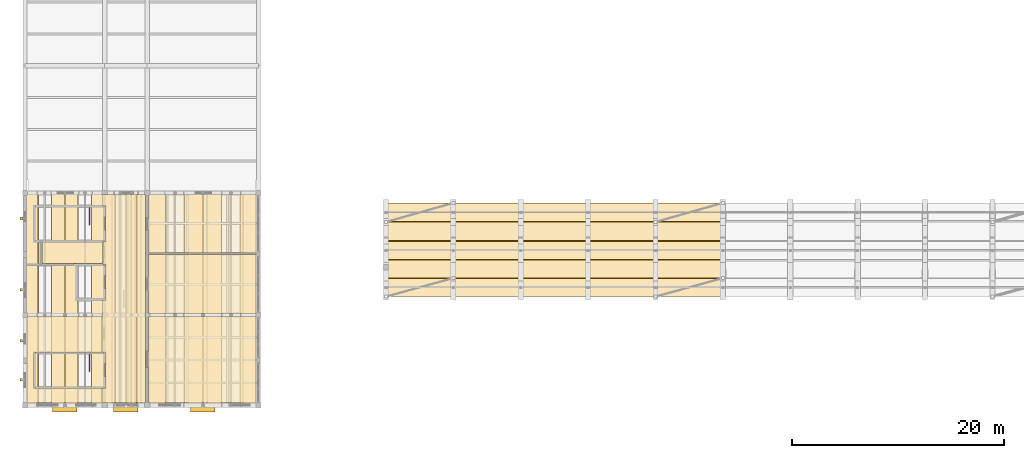
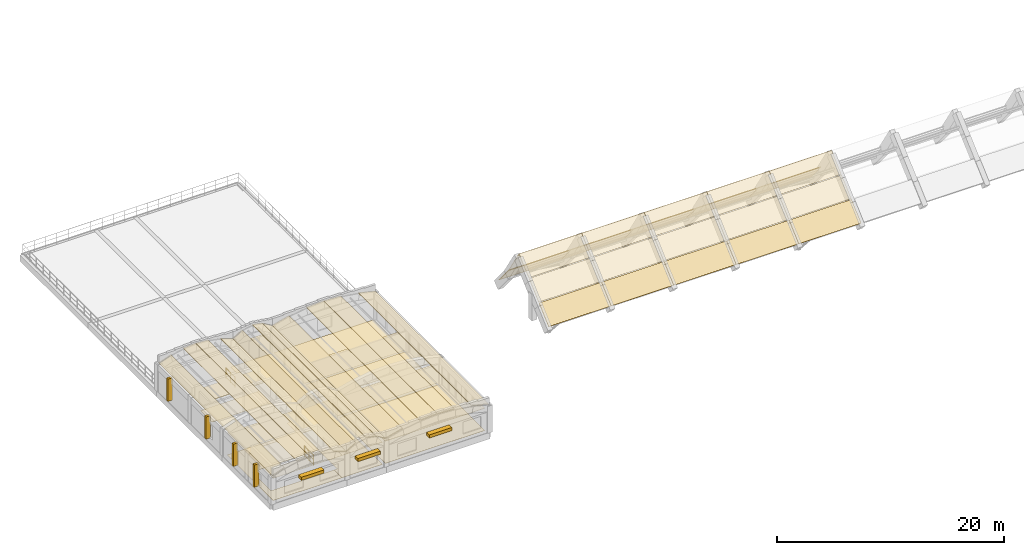
# One storey, part 37 of 40: 47 coverings, 7 shading devices, 2 railings.
"""IFC4 building model written with IfcOpenShell, lengths in metres."""

from ifc_helpers import new_model, si_unit, direction, frame, origin, origin_2d, place, context, subcontext, project, spatial, polyline, rectangle, circle, outline, extrude, material, layer, layer_set, type_object, element, save


model = new_model("IFC4")

# Units and contexts
model_context = context("Model", 3, precision=1e-05, world=origin(), true_north=direction((0.0, 1.0)))
body_context = subcontext(model_context, "Body", "Model", "MODEL_VIEW")
ifc_project = project(units=[si_unit("LENGTHUNIT", "METRE"), si_unit("AREAUNIT", "SQUARE_METRE"), si_unit("VOLUMEUNIT", "CUBIC_METRE"), si_unit("PLANEANGLEUNIT", "RADIAN"), si_unit("MASSUNIT", "GRAM", prefix="KILO")], contexts=[model_context])

# Site, building, storey
site_placement = place(None, origin())
site = spatial("IfcSite", under=ifc_project, at=site_placement, CompositionType="ELEMENT")
building_placement = place(site_placement, origin())
building = spatial("IfcBuilding", under=site, at=building_placement, Name="Trellovar Central Fire Station", CompositionType="ELEMENT")
storey_placement = place(building_placement, frame((0.0, 0.0, 12.75)))
storey = spatial("IfcBuildingStorey", under=building, at=storey_placement, Name="L04", CompositionType="ELEMENT", Elevation=12.75)

# Coverings
ifc_material_1 = material(Name="Perforated acoustic mineral fiber ceiling tile", Category="mineral")
ifc_layer_1 = layer(ifc_material_1, 0.02490234375)
ifc_layer_set_1 = layer_set([ifc_layer_1], Name="Perforated acoustic mineral fiber ceiling tile")
covering_type_1 = type_object("IfcCoveringType", Name="COV-CLG1", PredefinedType="CEILING", material=ifc_layer_set_1)
covering_1_placement = place(storey_placement, frame((0.0, 0.0, 2.3798828125)))
element("IfcCovering", 1, at=covering_1_placement, inside=storey, type_object=covering_type_1, Name="Crew Pavilion Level Four Corridor suspended ceiling", PredefinedType="CEILING", context=body_context, shape_type="SweptSolid", body=[
    extrude(outline(polyline([(8.56005859375, 18.93994140625), (8.56005859375, 22.260009765625), (8.25, 22.260009765625), (8.25, 24.43994140625), (8.56005859375, 24.43994140625), (8.56005859375, 27.760009765625), (8.25, 27.760009765625), (8.25, 28.85009765625), (12.35009765625, 28.85009765625), (12.35009765625, 9.25), (8.25, 9.25), (8.25, 10.639892578125), (8.56005859375, 10.639892578125), (8.56005859375, 13.9599609375), (8.25, 13.9599609375), (8.25, 18.93994140625), (8.56005859375, 18.93994140625)])), origin(), (0.0, 0.0, 1.0), 0.025146484375),
])
covering_2_placement = place(storey_placement, frame((0.0, 0.0, 2.3798828125)))
element("IfcCovering", 2, at=covering_2_placement, inside=storey, type_object=covering_type_1, Name="Paramedic Simulation Training Classroom suspended ceiling", PredefinedType="CEILING", context=body_context, shape_type="SweptSolid", body=[
    extrude(outline(polyline([(22.75, 17.35009765625), (22.75, 9.25), (12.64990234375, 9.25), (12.64990234375, 17.35009765625), (22.75, 17.35009765625)])), origin(), (0.0, 0.0, 1.0), 0.025146484375),
])
covering_3_placement = place(storey_placement, frame((0.0, 0.0, 2.3798828125)))
element("IfcCovering", 3, at=covering_3_placement, inside=storey, type_object=covering_type_1, Name="Reserve Crew Bunk Quarters suspended ceiling", PredefinedType="CEILING", context=body_context, shape_type="SweptSolid", body=[
    extrude(outline(polyline([(22.75, 23.199951171875), (22.75, 17.64990234375), (12.64990234375, 17.64990234375), (12.64990234375, 23.199951171875), (22.75, 23.199951171875)])), origin(), (0.0, 0.0, 1.0), 0.025146484375),
])
covering_4_placement = place(storey_placement, frame((0.0, 0.0, 2.3798828125)))
element("IfcCovering", 4, at=covering_4_placement, inside=storey, type_object=covering_type_1, Name="Chaplaincy and Crisis Counseling Office suspended ceiling", PredefinedType="CEILING", context=body_context, shape_type="SweptSolid", body=[
    extrude(outline(polyline([(8.25, 17.35009765625), (8.25, 13.9599609375), (1.840087890625, 13.9599609375), (1.840087890625, 10.639892578125), (8.25, 10.639892578125), (8.25, 9.25), (1.25, 9.25), (1.25, 17.35009765625), (8.25, 17.35009765625)])), origin(), (0.0, 0.0, 1.0), 0.025146484375),
])
ifc_material_2 = material(Name="Moisture-resistant gypsum ceiling board", Category="gypsum")
ifc_layer_2 = layer(ifc_material_2, 0.030029296875)
ifc_layer_set_2 = layer_set([ifc_layer_2], Name="Moisture-resistant gypsum ceiling board")
covering_type_2 = type_object("IfcCoveringType", Name="COV-CLG2", PredefinedType="CEILING", material=ifc_layer_set_2)
covering_5_placement = place(storey_placement, frame((0.0, 0.0, 2.3798828125)))
element("IfcCovering", 5, at=covering_5_placement, inside=storey, type_object=covering_type_2, Name="Crew Pavilion Accessible Restroom suspended ceiling", PredefinedType="CEILING", context=body_context, shape_type="SweptSolid", body=[
    extrude(outline(polyline([(8.35009765625, 24.39990234375), (8.35009765625, 22.35009765625), (2.60009765625, 22.35009765625), (2.60009765625, 24.39990234375), (8.35009765625, 24.39990234375)])), origin(), (0.0, 0.0, 1.0), 0.030029296875),
])
ifc_material_3 = material(Name="Heavy-duty slip-resistant quartz epoxy flooring", Category="finish")
ifc_layer_3 = layer(ifc_material_3, 0.014892578125)
ifc_layer_set_3 = layer_set([ifc_layer_3], Name="Heavy-duty slip-resistant quartz epoxy flooring")
covering_type_3 = type_object("IfcCoveringType", Name="COV-FLR1", PredefinedType="FLOORING", material=ifc_layer_set_3)
covering_6_placement = place(storey_placement, origin())
element("IfcCovering", 6, at=covering_6_placement, inside=storey, type_object=covering_type_3, Name="Station Mechanical Fan Room floor finish", PredefinedType="FLOORING", context=body_context, shape_type="SweptSolid", body=[
    extrude(outline(polyline([(22.75, 28.85009765625), (22.75, 23.39990234375), (12.64990234375, 23.39990234375), (12.64990234375, 28.85009765625), (22.75, 28.85009765625)])), origin(), (0.0, 0.0, 1.0), 0.014892578125),
])
ifc_material_4 = material(Name="Vitrified Catalan ceramic floor tile", Category="masonry")
ifc_layer_4 = layer(ifc_material_4, 0.01806640625)
ifc_layer_set_4 = layer_set([ifc_layer_4], Name="Vitrified Catalan ceramic floor tile")
covering_type_4 = type_object("IfcCoveringType", Name="COV-FLR2", PredefinedType="FLOORING", material=ifc_layer_set_4)
covering_7_placement = place(storey_placement, origin())
element("IfcCovering", 7, at=covering_7_placement, inside=storey, type_object=covering_type_4, Name="Crew Pavilion Level Four Corridor floor finish", PredefinedType="FLOORING", context=body_context, shape_type="SweptSolid", body=[
    extrude(outline(polyline([(8.56005859375, 18.93994140625), (8.56005859375, 22.260009765625), (8.25, 22.260009765625), (8.25, 24.43994140625), (8.56005859375, 24.43994140625), (8.56005859375, 27.760009765625), (8.25, 27.760009765625), (8.25, 28.85009765625), (12.35009765625, 28.85009765625), (12.35009765625, 9.25), (8.25, 9.25), (8.25, 10.639892578125), (8.56005859375, 10.639892578125), (8.56005859375, 13.9599609375), (8.25, 13.9599609375), (8.25, 18.93994140625), (8.56005859375, 18.93994140625)])), origin(), (0.0, 0.0, 1.0), 0.01806640625),
])
covering_8_placement = place(storey_placement, origin())
element("IfcCovering", 8, at=covering_8_placement, inside=storey, type_object=covering_type_4, Name="Reserve Crew Bunk Quarters floor finish", PredefinedType="FLOORING", context=body_context, shape_type="SweptSolid", body=[
    extrude(outline(polyline([(22.75, 23.199951171875), (22.75, 17.64990234375), (12.64990234375, 17.64990234375), (12.64990234375, 23.199951171875), (22.75, 23.199951171875)])), origin(), (0.0, 0.0, 1.0), 0.01806640625),
])
covering_9_placement = place(storey_placement, origin())
element("IfcCovering", 9, at=covering_9_placement, inside=storey, type_object=covering_type_4, Name="Chaplaincy and Crisis Counseling Office floor finish", PredefinedType="FLOORING", context=body_context, shape_type="SweptSolid", body=[
    extrude(outline(polyline([(8.25, 17.35009765625), (8.25, 13.9599609375), (1.840087890625, 13.9599609375), (1.840087890625, 10.639892578125), (8.25, 10.639892578125), (8.25, 9.25), (1.25, 9.25), (1.25, 17.35009765625), (8.25, 17.35009765625)])), origin(), (0.0, 0.0, 1.0), 0.01806640625),
])
covering_10_placement = place(storey_placement, origin())
element("IfcCovering", 10, at=covering_10_placement, inside=storey, type_object=covering_type_4, Name="Crew Pavilion Accessible Restroom floor finish", PredefinedType="FLOORING", context=body_context, shape_type="SweptSolid", body=[
    extrude(outline(polyline([(8.35009765625, 24.39990234375), (8.35009765625, 22.35009765625), (2.60009765625, 22.35009765625), (2.60009765625, 24.39990234375), (8.35009765625, 24.39990234375)])), origin(), (0.0, 0.0, 1.0), 0.01806640625),
])
ifc_material_5 = material(Name="Resilient athletic impact rubber flooring", Category="finish")
ifc_layer_5 = layer(ifc_material_5, 0.02001953125)
ifc_layer_set_5 = layer_set([ifc_layer_5], Name="Resilient athletic impact rubber flooring")
covering_type_5 = type_object("IfcCoveringType", Name="COV-FLR3", PredefinedType="FLOORING", material=ifc_layer_set_5)
covering_11_placement = place(storey_placement, origin())
element("IfcCovering", 11, at=covering_11_placement, inside=storey, type_object=covering_type_5, Name="Paramedic Simulation Training Classroom floor finish", PredefinedType="FLOORING", context=body_context, shape_type="SweptSolid", body=[
    extrude(outline(polyline([(22.75, 17.35009765625), (22.75, 9.25), (12.64990234375, 9.25), (12.64990234375, 17.35009765625), (22.75, 17.35009765625)])), origin(), (0.0, 0.0, 1.0), 0.02001953125),
])
ifc_material_6 = material(Name="Glazed ceramic trencadis roofing", Category="masonry")
ifc_layer_6 = layer(ifc_material_6, 0.06005859375)
ifc_layer_set_6 = layer_set([ifc_layer_6], Name="Glazed ceramic trencadis roofing")
covering_type_6 = type_object("IfcCoveringType", Name="COV-RF1", PredefinedType="ROOFING", material=ifc_layer_set_6)
covering_12_placement = place(storey_placement, frame((35.0, 19.241943359375, 0.811767578125), z_axis=(0.0, -0.66774903709, 0.744386474531), x_axis=(1.0, 0.0, 0.0)))
element("IfcCovering", 12, at=covering_12_placement, inside=storey, type_object=covering_type_6, Name="Glazed trencadis vault covering V1-01-04", PredefinedType="ROOFING", context=body_context, shape_type="SweptSolid", body=[
    extrude(outline(polyline([(0.0, 0.0), (6.35009765625, 0.0), (6.35009765625, 2.2873020628460576), (0.0, 2.2873020628460576), (0.0, 0.0)])), origin(), (0.0, 0.0, -1.0), 0.06005859375),
])
covering_13_placement = place(storey_placement, frame((35.0, 20.98876953125, 2.37841796875), z_axis=(0.0, -0.66774294701, 0.74439193757), x_axis=(1.0, 0.0, 0.0)))
element("IfcCovering", 13, at=covering_13_placement, inside=storey, type_object=covering_type_6, Name="Glazed trencadis vault covering V1-01-05", PredefinedType="ROOFING", context=body_context, shape_type="SweptSolid", body=[
    extrude(outline(polyline([(0.0, 0.0), (6.35009765625, 0.0), (6.35009765625, 2.2869573032762025), (0.0, 2.2869573032762025), (0.0, 0.0)])), origin(), (0.0, 0.0, -1.0), 0.06005859375),
])
covering_14_placement = place(storey_placement, frame((35.0, 22.7353515625, 3.945068359375), z_axis=(0.0, -0.66774903709, 0.744386474531), x_axis=(1.0, 0.0, 0.0)))
element("IfcCovering", 14, at=covering_14_placement, inside=storey, type_object=covering_type_6, Name="Glazed trencadis vault covering V1-01-06", PredefinedType="ROOFING", context=body_context, shape_type="SweptSolid", body=[
    extrude(outline(polyline([(0.0, 0.0), (6.35009765625, 0.0), (6.35009765625, 2.2873020628460576), (0.0, 2.2873020628460576), (0.0, 0.0)])), origin(), (0.0, 0.0, -1.0), 0.06005859375),
])
covering_15_placement = place(storey_placement, frame((35.0, 24.53271484375, 5.427001953125), z_axis=(0.0, 0.844675204388, 0.535279178646), x_axis=(1.0, 0.0, 0.0)))
element("IfcCovering", 15, at=covering_15_placement, inside=storey, type_object=covering_type_6, Name="Glazed trencadis vault covering V1-01-07", PredefinedType="ROOFING", context=body_context, shape_type="SweptSolid", body=[
    extrude(outline(polyline([(0.0, 0.0), (6.35009765625, 0.0), (6.35009765625, 3.247885327843542), (0.0, 3.247885327843542), (0.0, 0.0)])), origin(), (0.0, 0.0, -1.0), 0.06005859375),
])
covering_16_placement = place(storey_placement, frame((35.0, 26.321533203125, 2.622314453125), z_axis=(0.0, 0.769830803737, 0.63824801889), x_axis=(1.0, 0.0, 0.0)))
element("IfcCovering", 16, at=covering_16_placement, inside=storey, type_object=covering_type_6, Name="Glazed trencadis vault covering V1-01-08", PredefinedType="ROOFING", context=body_context, shape_type="SweptSolid", body=[
    extrude(outline(polyline([(0.0, 0.0), (6.35009765625, 0.0), (6.35009765625, 2.73117034586455), (0.0, 2.73117034586455), (0.0, 0.0)])), origin(), (0.0, 0.0, -1.0), 0.06005859375),
])
covering_17_placement = place(storey_placement, frame((41.35009765625, 19.241943359375, 0.811767578125), z_axis=(0.0, -0.66774903709, 0.744386474531), x_axis=(1.0, 0.0, 0.0)))
element("IfcCovering", 17, at=covering_17_placement, inside=storey, type_object=covering_type_6, Name="Glazed trencadis vault covering V1-02-04", PredefinedType="ROOFING", context=body_context, shape_type="SweptSolid", body=[
    extrude(outline(polyline([(0.0, 0.0), (6.349853515625, 0.0), (6.349853515625, 2.2873020628460576), (0.0, 2.2873020628460576), (0.0, 0.0)])), origin(), (0.0, 0.0, -1.0), 0.06005859375),
])
covering_18_placement = place(storey_placement, frame((41.35009765625, 20.98876953125, 2.37841796875), z_axis=(0.0, -0.66774294701, 0.74439193757), x_axis=(1.0, 0.0, 0.0)))
element("IfcCovering", 18, at=covering_18_placement, inside=storey, type_object=covering_type_6, Name="Glazed trencadis vault covering V1-02-05", PredefinedType="ROOFING", context=body_context, shape_type="SweptSolid", body=[
    extrude(outline(polyline([(0.0, 0.0), (6.349853515625, 0.0), (6.349853515625, 2.286957303276203), (0.0, 2.286957303276203), (0.0, 0.0)])), origin(), (0.0, 0.0, -1.0), 0.06005859375),
])
covering_19_placement = place(storey_placement, frame((41.35009765625, 22.7353515625, 3.945068359375), z_axis=(0.0, -0.66774903709, 0.744386474531), x_axis=(1.0, 0.0, 0.0)))
element("IfcCovering", 19, at=covering_19_placement, inside=storey, type_object=covering_type_6, Name="Glazed trencadis vault covering V1-02-06", PredefinedType="ROOFING", context=body_context, shape_type="SweptSolid", body=[
    extrude(outline(polyline([(0.0, 0.0), (6.349853515625, 0.0), (6.349853515625, 2.2873020628460576), (0.0, 2.2873020628460576), (0.0, 0.0)])), origin(), (0.0, 0.0, -1.0), 0.06005859375),
])
covering_20_placement = place(storey_placement, frame((41.35009765625, 24.53271484375, 5.427001953125), z_axis=(0.0, 0.844675204388, 0.535279178646), x_axis=(1.0, 0.0, 0.0)))
element("IfcCovering", 20, at=covering_20_placement, inside=storey, type_object=covering_type_6, Name="Glazed trencadis vault covering V1-02-07", PredefinedType="ROOFING", context=body_context, shape_type="SweptSolid", body=[
    extrude(outline(polyline([(0.0, 0.0), (6.349853515625, 0.0), (6.349853515625, 3.247885327843542), (0.0, 3.247885327843542), (0.0, 0.0)])), origin(), (0.0, 0.0, -1.0), 0.06005859375),
])
covering_21_placement = place(storey_placement, frame((41.35009765625, 26.321533203125, 2.622314453125), z_axis=(0.0, 0.769830803737, 0.63824801889), x_axis=(1.0, 0.0, 0.0)))
element("IfcCovering", 21, at=covering_21_placement, inside=storey, type_object=covering_type_6, Name="Glazed trencadis vault covering V1-02-08", PredefinedType="ROOFING", context=body_context, shape_type="SweptSolid", body=[
    extrude(outline(polyline([(0.0, 0.0), (6.349853515625, 0.0), (6.349853515625, 2.7311703458645495), (0.0, 2.7311703458645495), (0.0, 0.0)])), origin(), (0.0, 0.0, -1.0), 0.06005859375),
])
covering_22_placement = place(storey_placement, frame((47.699951171875, 19.241943359375, 0.811767578125), z_axis=(0.0, -0.66774903709, 0.744386474531), x_axis=(1.0, 0.0, 0.0)))
element("IfcCovering", 22, at=covering_22_placement, inside=storey, type_object=covering_type_6, Name="Glazed trencadis vault covering V1-03-04", PredefinedType="ROOFING", context=body_context, shape_type="SweptSolid", body=[
    extrude(outline(polyline([(0.0, 0.0), (6.35009765625, 0.0), (6.35009765625, 2.2873020628460576), (0.0, 2.2873020628460576), (0.0, 0.0)])), origin(), (0.0, 0.0, -1.0), 0.06005859375),
])
covering_23_placement = place(storey_placement, frame((47.699951171875, 20.98876953125, 2.37841796875), z_axis=(0.0, -0.66774294701, 0.74439193757), x_axis=(1.0, 0.0, 0.0)))
element("IfcCovering", 23, at=covering_23_placement, inside=storey, type_object=covering_type_6, Name="Glazed trencadis vault covering V1-03-05", PredefinedType="ROOFING", context=body_context, shape_type="SweptSolid", body=[
    extrude(outline(polyline([(0.0, 0.0), (6.35009765625, 0.0), (6.35009765625, 2.2869573032762025), (0.0, 2.2869573032762025), (0.0, 0.0)])), origin(), (0.0, 0.0, -1.0), 0.06005859375),
])
covering_24_placement = place(storey_placement, frame((47.699951171875, 22.7353515625, 3.945068359375), z_axis=(0.0, -0.66774903709, 0.744386474531), x_axis=(1.0, 0.0, 0.0)))
element("IfcCovering", 24, at=covering_24_placement, inside=storey, type_object=covering_type_6, Name="Glazed trencadis vault covering V1-03-06", PredefinedType="ROOFING", context=body_context, shape_type="SweptSolid", body=[
    extrude(outline(polyline([(0.0, 0.0), (6.35009765625, 0.0), (6.35009765625, 2.2873020628460576), (0.0, 2.2873020628460576), (0.0, 0.0)])), origin(), (0.0, 0.0, -1.0), 0.06005859375),
])
covering_25_placement = place(storey_placement, frame((47.699951171875, 24.53271484375, 5.427001953125), z_axis=(0.0, 0.844675204388, 0.535279178646), x_axis=(1.0, 0.0, 0.0)))
element("IfcCovering", 25, at=covering_25_placement, inside=storey, type_object=covering_type_6, Name="Glazed trencadis vault covering V1-03-07", PredefinedType="ROOFING", context=body_context, shape_type="SweptSolid", body=[
    extrude(outline(polyline([(0.0, 0.0), (6.35009765625, 0.0), (6.35009765625, 3.247885327843542), (0.0, 3.247885327843542), (0.0, 0.0)])), origin(), (0.0, 0.0, -1.0), 0.06005859375),
])
covering_26_placement = place(storey_placement, frame((47.699951171875, 26.321533203125, 2.622314453125), z_axis=(0.0, 0.769830803737, 0.63824801889), x_axis=(1.0, 0.0, 0.0)))
element("IfcCovering", 26, at=covering_26_placement, inside=storey, type_object=covering_type_6, Name="Glazed trencadis vault covering V1-03-08", PredefinedType="ROOFING", context=body_context, shape_type="SweptSolid", body=[
    extrude(outline(polyline([(0.0, 0.0), (6.35009765625, 0.0), (6.35009765625, 2.73117034586455), (0.0, 2.73117034586455), (0.0, 0.0)])), origin(), (0.0, 0.0, -1.0), 0.06005859375),
])
covering_27_placement = place(storey_placement, frame((54.050048828125, 19.241943359375, 0.811767578125), z_axis=(0.0, -0.66774903709, 0.744386474531), x_axis=(1.0, 0.0, 0.0)))
element("IfcCovering", 27, at=covering_27_placement, inside=storey, type_object=covering_type_6, Name="Glazed trencadis vault covering V1-04-04", PredefinedType="ROOFING", context=body_context, shape_type="SweptSolid", body=[
    extrude(outline(polyline([(0.0, 0.0), (6.349853515625, 0.0), (6.349853515625, 2.2873020628460576), (0.0, 2.2873020628460576), (0.0, 0.0)])), origin(), (0.0, 0.0, -1.0), 0.06005859375),
])
covering_28_placement = place(storey_placement, frame((54.050048828125, 20.98876953125, 2.37841796875), z_axis=(0.0, -0.66774294701, 0.74439193757), x_axis=(1.0, 0.0, 0.0)))
element("IfcCovering", 28, at=covering_28_placement, inside=storey, type_object=covering_type_6, Name="Glazed trencadis vault covering V1-04-05", PredefinedType="ROOFING", context=body_context, shape_type="SweptSolid", body=[
    extrude(outline(polyline([(0.0, 0.0), (6.349853515625, 0.0), (6.349853515625, 2.286957303276203), (0.0, 2.286957303276203), (0.0, 0.0)])), origin(), (0.0, 0.0, -1.0), 0.06005859375),
])
covering_29_placement = place(storey_placement, frame((54.050048828125, 22.7353515625, 3.945068359375), z_axis=(0.0, -0.66774903709, 0.744386474531), x_axis=(1.0, 0.0, 0.0)))
element("IfcCovering", 29, at=covering_29_placement, inside=storey, type_object=covering_type_6, Name="Glazed trencadis vault covering V1-04-06", PredefinedType="ROOFING", context=body_context, shape_type="SweptSolid", body=[
    extrude(outline(polyline([(0.0, 0.0), (6.349853515625, 0.0), (6.349853515625, 2.2873020628460576), (0.0, 2.2873020628460576), (0.0, 0.0)])), origin(), (0.0, 0.0, -1.0), 0.06005859375),
])
covering_30_placement = place(storey_placement, frame((54.050048828125, 24.53271484375, 5.427001953125), z_axis=(0.0, 0.844675204388, 0.535279178646), x_axis=(1.0, 0.0, 0.0)))
element("IfcCovering", 30, at=covering_30_placement, inside=storey, type_object=covering_type_6, Name="Glazed trencadis vault covering V1-04-07", PredefinedType="ROOFING", context=body_context, shape_type="SweptSolid", body=[
    extrude(outline(polyline([(0.0, 0.0), (6.349853515625, 0.0), (6.349853515625, 3.247885327843542), (0.0, 3.247885327843542), (0.0, 0.0)])), origin(), (0.0, 0.0, -1.0), 0.06005859375),
])
covering_31_placement = place(storey_placement, frame((54.050048828125, 26.321533203125, 2.622314453125), z_axis=(0.0, 0.769830803737, 0.63824801889), x_axis=(1.0, 0.0, 0.0)))
element("IfcCovering", 31, at=covering_31_placement, inside=storey, type_object=covering_type_6, Name="Glazed trencadis vault covering V1-04-08", PredefinedType="ROOFING", context=body_context, shape_type="SweptSolid", body=[
    extrude(outline(polyline([(0.0, 0.0), (6.349853515625, 0.0), (6.349853515625, 2.7311703458645495), (0.0, 2.7311703458645495), (0.0, 0.0)])), origin(), (0.0, 0.0, -1.0), 0.06005859375),
])
covering_32_placement = place(storey_placement, frame((60.39990234375, 19.241943359375, 0.811767578125), z_axis=(0.0, -0.66774903709, 0.744386474531), x_axis=(1.0, 0.0, 0.0)))
element("IfcCovering", 32, at=covering_32_placement, inside=storey, type_object=covering_type_6, Name="Glazed trencadis vault covering V1-05-04", PredefinedType="ROOFING", context=body_context, shape_type="SweptSolid", body=[
    extrude(outline(polyline([(0.0, 0.0), (6.35009765625, 0.0), (6.35009765625, 2.2873020628460576), (0.0, 2.2873020628460576), (0.0, 0.0)])), origin(), (0.0, 0.0, -1.0), 0.06005859375),
])
covering_33_placement = place(storey_placement, frame((60.39990234375, 20.98876953125, 2.37841796875), z_axis=(0.0, -0.66774294701, 0.74439193757), x_axis=(1.0, 0.0, 0.0)))
element("IfcCovering", 33, at=covering_33_placement, inside=storey, type_object=covering_type_6, Name="Glazed trencadis vault covering V1-05-05", PredefinedType="ROOFING", context=body_context, shape_type="SweptSolid", body=[
    extrude(outline(polyline([(0.0, 0.0), (6.35009765625, 0.0), (6.35009765625, 2.2869573032762025), (0.0, 2.2869573032762025), (0.0, 0.0)])), origin(), (0.0, 0.0, -1.0), 0.06005859375),
])
covering_34_placement = place(storey_placement, frame((60.39990234375, 22.7353515625, 3.945068359375), z_axis=(0.0, -0.66774903709, 0.744386474531), x_axis=(1.0, 0.0, 0.0)))
element("IfcCovering", 34, at=covering_34_placement, inside=storey, type_object=covering_type_6, Name="Glazed trencadis vault covering V1-05-06", PredefinedType="ROOFING", context=body_context, shape_type="SweptSolid", body=[
    extrude(outline(polyline([(0.0, 0.0), (6.35009765625, 0.0), (6.35009765625, 2.2873020628460576), (0.0, 2.2873020628460576), (0.0, 0.0)])), origin(), (0.0, 0.0, -1.0), 0.06005859375),
])
covering_35_placement = place(storey_placement, frame((60.39990234375, 24.53271484375, 5.427001953125), z_axis=(0.0, 0.844675204388, 0.535279178646), x_axis=(1.0, 0.0, 0.0)))
element("IfcCovering", 35, at=covering_35_placement, inside=storey, type_object=covering_type_6, Name="Glazed trencadis vault covering V1-05-07", PredefinedType="ROOFING", context=body_context, shape_type="SweptSolid", body=[
    extrude(outline(polyline([(0.0, 0.0), (6.35009765625, 0.0), (6.35009765625, 3.247885327843542), (0.0, 3.247885327843542), (0.0, 0.0)])), origin(), (0.0, 0.0, -1.0), 0.06005859375),
])
covering_36_placement = place(storey_placement, frame((60.39990234375, 26.321533203125, 2.622314453125), z_axis=(0.0, 0.769830803737, 0.63824801889), x_axis=(1.0, 0.0, 0.0)))
element("IfcCovering", 36, at=covering_36_placement, inside=storey, type_object=covering_type_6, Name="Glazed trencadis vault covering V1-05-08", PredefinedType="ROOFING", context=body_context, shape_type="SweptSolid", body=[
    extrude(outline(polyline([(0.0, 0.0), (6.35009765625, 0.0), (6.35009765625, 2.73117034586455), (0.0, 2.73117034586455), (0.0, 0.0)])), origin(), (0.0, 0.0, -1.0), 0.06005859375),
])
ifc_material_7 = material(Name="High-albedo cool terracotta roof tile", Category="masonry")
ifc_layer_7 = layer(ifc_material_7, 0.050048828125)
ifc_layer_set_7 = layer_set([ifc_layer_7], Name="High-albedo cool terracotta roof tile")
covering_type_7 = type_object("IfcCoveringType", Name="COV-RF2", PredefinedType="ROOFING", material=ifc_layer_set_7)
covering_37_placement = place(storey_placement, frame((1.001953125, 9.0, 2.95068359375), z_axis=(-0.334972748929, 0.0, 0.942227816122), x_axis=(0.942227816122, 0.0, 0.334972748929)))
element("IfcCovering", 37, at=covering_37_placement, inside=storey, type_object=covering_type_7, Name="V4 glazed trencadis vault covering 01-01", PredefinedType="ROOFING", context=body_context, shape_type="SweptSolid", body=[
    extrude(outline(polyline([(0.0, 0.0), (1.304618719423737, 0.0), (1.304618719423737, 20.0), (0.0, 20.0), (0.0, 0.0)])), origin(), (0.0, 0.0, -1.0), 0.050048828125),
])
for number, where, z_axis, x_axis, name in (
    (38, (3.501953125, 9.0, 3.6611328125), (-0.070954528884, 0.0, 0.997479551084), (0.997479551084, 0.0, 0.070954528884), "V4 glazed trencadis vault covering 01-03"),
    (39, (4.755615234375, 9.0, 3.74951171875), (0.070954528884, 0.0, 0.997479551084), (0.997479551084, 0.0, -0.070954528884), "V4 glazed trencadis vault covering 01-04"),
):
    element("IfcCovering", number, at=place(storey_placement, frame(where, z_axis=z_axis, x_axis=x_axis)), inside=storey, type_object=covering_type_7, Name=name, PredefinedType="ROOFING", context=body_context, shape_type="SweptSolid", body=[
        extrude(outline(polyline([(0.0, 0.0), (1.245571038799504, 0.0), (1.245571038799504, 19.999999999999996), (0.0, 19.999999999999996), (0.0, 0.0)])), origin(), (0.0, 0.0, -1.0), 0.050048828125),
    ])
covering_38_placement = place(storey_placement, frame((7.268798828125, 9.0, 3.3876953125), z_axis=(0.334972748929, 0.0, 0.942227816122), x_axis=(0.942227816122, 0.0, -0.334972748929)))
element("IfcCovering", 40, at=covering_38_placement, inside=storey, type_object=covering_type_7, Name="V4 glazed trencadis vault covering 01-06", PredefinedType="ROOFING", context=body_context, shape_type="SweptSolid", body=[
    extrude(outline(polyline([(0.0, 0.0), (1.304618719423737, 0.0), (1.304618719423737, 20.0), (0.0, 20.0), (0.0, 0.0)])), origin(), (0.0, 0.0, -1.0), 0.050048828125),
])
covering_39_placement = place(storey_placement, frame((8.501953125, 9.0, 2.951171875), z_axis=(-0.514495755428, 0.0, 0.857492925713), x_axis=(0.857492925713, 0.0, 0.514495755428)))
element("IfcCovering", 41, at=covering_39_placement, inside=storey, type_object=covering_type_7, Name="V4 glazed trencadis vault covering 02-01", PredefinedType="ROOFING", context=body_context, shape_type="SweptSolid", body=[
    extrude(outline(polyline([(0.0, 0.0), (1.1317399307622105, 0.0), (1.1317399307622105, 20.0), (0.0, 20.0), (0.0, 0.0)])), origin(), (0.0, 0.0, -1.0), 0.050048828125),
])
covering_40_placement = place(storey_placement, frame((10.51171875, 9.0, 3.74755859375), z_axis=(0.196116135138, 0.0, 0.980580675691), x_axis=(0.980580675691, 0.0, -0.196116135138)))
element("IfcCovering", 42, at=covering_40_placement, inside=storey, type_object=covering_type_7, Name="V4 glazed trencadis vault covering 02-03", PredefinedType="ROOFING", context=body_context, shape_type="SweptSolid", body=[
    extrude(outline(polyline([(0.0, 0.0), (1.0058612712360768, 0.0), (1.0058612712360768, 20.0), (0.0, 20.0), (0.0, 0.0)])), origin(), (0.0, 0.0, -1.0), 0.050048828125),
])
covering_41_placement = place(storey_placement, frame((11.527587890625, 9.0, 3.533447265625), z_axis=(0.514495755428, 0.0, 0.857492925713), x_axis=(0.857492925713, 0.0, -0.514495755428)))
element("IfcCovering", 43, at=covering_41_placement, inside=storey, type_object=covering_type_7, Name="V4 glazed trencadis vault covering 02-04", PredefinedType="ROOFING", context=body_context, shape_type="SweptSolid", body=[
    extrude(outline(polyline([(0.0, 0.0), (1.1317399307622105, 0.0), (1.1317399307622105, 20.0), (0.0, 20.0), (0.0, 0.0)])), origin(), (0.0, 0.0, -1.0), 0.050048828125),
])
covering_42_placement = place(storey_placement, frame((12.501953125, 9.0, 2.950439453125), z_axis=(-0.246227113677, 0.0, 0.969212158658), x_axis=(0.969212158658, 0.0, 0.246227113677)))
element("IfcCovering", 44, at=covering_42_placement, inside=storey, type_object=covering_type_7, Name="V4 glazed trencadis vault covering 03-01", PredefinedType="ROOFING", context=body_context, shape_type="SweptSolid", body=[
    extrude(outline(polyline([(0.0, 0.0), (1.7887131962165552, 0.0), (1.7887131962165552, 20.0), (0.0, 20.0), (0.0, 0.0)])), origin(), (0.0, 0.0, -1.0), 0.050048828125),
])
for number, where, z_axis, x_axis, name in (
    (45, (16.001953125, 9.0, 3.6611328125), (-0.050760576716, 0.0, 0.998710850973), (0.998710850973, 0.0, 0.050760576716), "V4 glazed trencadis vault covering 03-03"),
    (46, (17.75439453125, 9.0, 3.749755859375), (0.050760576716, 0.0, 0.998710850973), (0.998710850973, 0.0, -0.050760576716), "V4 glazed trencadis vault covering 03-04"),
):
    element("IfcCovering", number, at=place(storey_placement, frame(where, z_axis=z_axis, x_axis=x_axis)), inside=storey, type_object=covering_type_7, Name=name, PredefinedType="ROOFING", context=body_context, shape_type="SweptSolid", body=[
        extrude(outline(polyline([(0.0, 0.0), (1.7459030729975467, 0.0), (1.7459030729975467, 19.999999999999996), (0.0, 19.999999999999996), (0.0, 0.0)])), origin(), (0.0, 0.0, -1.0), 0.050048828125),
    ])
covering_43_placement = place(storey_placement, frame((21.264404296875, 9.0, 3.390869140625), z_axis=(0.246227113677, 0.0, 0.969212158658), x_axis=(0.969212158658, 0.0, -0.246227113677)))
element("IfcCovering", 47, at=covering_43_placement, inside=storey, type_object=covering_type_7, Name="V4 glazed trencadis vault covering 03-06", PredefinedType="ROOFING", context=body_context, shape_type="SweptSolid", body=[
    extrude(outline(polyline([(0.0, 0.0), (1.7887131962165552, 0.0), (1.7887131962165552, 20.0), (0.0, 20.0), (0.0, 0.0)])), origin(), (0.0, 0.0, -1.0), 0.050048828125),
])

# Railings
ifc_material_8 = material(Name="Patina bronze wrought metalwork", Category="metal")
ifc_layer_8 = layer(ifc_material_8, 0.050048828125)
ifc_layer_set_8 = layer_set([ifc_layer_8], Name="Patina bronze wrought metalwork")
railing_type = type_object("IfcRailingType", Name="RL-STGUARD", PredefinedType="GUARDRAIL", material=ifc_layer_set_8)
for number, where, name in (
    (48, (7.050048828125, 13.800048828125, 0.0), "L04 ST-03 top well guard 1"),
    (49, (7.050048828125, 27.60009765625, 0.0), "L04 ST-04 top well guard 1"),
):
    element("IfcRailing", number, at=place(storey_placement, frame(where)), inside=storey, type_object=railing_type, Name=name, PredefinedType="GUARDRAIL", context=body_context, shape_type="SweptSolid", body=[
        extrude(circle(Radius=0.02392578125, at=origin_2d()), frame((0.0, 0.0, 1.076171875), z_axis=(0.0, -1.0, 0.0), x_axis=(1.0, 0.0, 0.0)), (0.0, 0.0, 1.0), 1.60009765625),
        extrude(circle(Radius=0.015625, at=origin_2d()), frame((0.0, 0.0, 0.10009765625), z_axis=(0.0, -1.0, 0.0), x_axis=(1.0, 0.0, 0.0)), (0.0, 0.0, 1.0), 1.60009765625),
        extrude(circle(Radius=0.015625, at=origin_2d()), frame((0.0, 0.0, 0.60498046875), z_axis=(0.0, -1.0, 0.0), x_axis=(1.0, 0.0, 0.0)), (0.0, 0.0, 1.0), 1.60009765625),
        extrude(circle(Radius=0.02099609375, at=origin_2d()), origin(), (0.0, 0.0, 1.0), 1.052001953125),
        extrude(circle(Radius=0.02099609375, at=origin_2d()), frame((0.0, -0.800048828125, 0.0)), (0.0, 0.0, 1.0), 1.052001953125),
        extrude(circle(Radius=0.02099609375, at=origin_2d()), frame((0.0, -1.60009765625, 0.0)), (0.0, 0.0, 1.0), 1.052001953125),
    ])

# Shading devices
ifc_material_9 = material(Name="Glazed ceramic trencadis and terracotta panel", Category="masonry")
shading_device_type_1 = type_object("IfcShadingDeviceType", Name="SHD-LV1", PredefinedType="JALOUSIE", material=ifc_material_9)
for number, where, z_axis, x_axis, name in (
    (50, (4.75, 8.614990234375, 1.8798828125), (0.0, 0.0, 1.0), (1.0, 0.0, 0.0), "L04 Catalan solar brise-soleil LV-1"),
    (51, (10.5, 8.614990234375, 1.8798828125), (0.0, 0.0, 1.0), (1.0, 0.0, 0.0), "L04 Catalan solar brise-soleil LV-1"),
    (52, (17.75, 8.614990234375, 1.8798828125), (0.0, 0.0, 1.0), (1.0, 0.0, 0.0), "L04 Catalan solar brise-soleil LV-1"),
):
    element("IfcShadingDevice", number, at=place(storey_placement, frame(where, z_axis=z_axis, x_axis=x_axis)), inside=storey, type_object=shading_device_type_1, Name=name, PredefinedType="JALOUSIE", context=body_context, shape_type="SweptSolid", body=[
        extrude(rectangle(XDim=2.300048828125, YDim=0.5, at=origin_2d()), origin(), (0.0, 0.0, 1.0), 0.340087890625),
    ])
ifc_material_10 = material(Name="Patina bronze wrought metalwork", Category="metal")
shading_device_type_2 = type_object("IfcShadingDeviceType", Name="SHD-LV2", PredefinedType="SHUTTER", material=ifc_material_10)
for number, where, z_axis, x_axis, name in (
    (53, (0.7451171875, 11.39990234375, 0.449951171875), (0.0, 0.0, 1.0), (1.0, 0.0, 0.0), "L04 Catalan solar brise-soleil LV-2"),
    (54, (0.7451171875, 15.10009765625, 0.449951171875), (0.0, 0.0, 1.0), (1.0, 0.0, 0.0), "L04 Catalan solar brise-soleil LV-2"),
    (55, (0.7451171875, 19.89990234375, 0.449951171875), (0.0, 0.0, 1.0), (1.0, 0.0, 0.0), "L04 Catalan solar brise-soleil LV-2"),
    (56, (0.7451171875, 26.60009765625, 0.449951171875), (0.0, 0.0, 1.0), (1.0, 0.0, 0.0), "L04 Catalan solar brise-soleil LV-2"),
):
    element("IfcShadingDevice", number, at=place(storey_placement, frame(where, z_axis=z_axis, x_axis=x_axis)), inside=storey, type_object=shading_device_type_2, Name=name, PredefinedType="SHUTTER", context=body_context, shape_type="SweptSolid", body=[
        extrude(rectangle(XDim=0.449951171875, YDim=0.239990234375, at=origin_2d()), origin(), (0.0, 0.0, 1.0), 2.39990234375),
    ])

save(model, "model.ifc")
